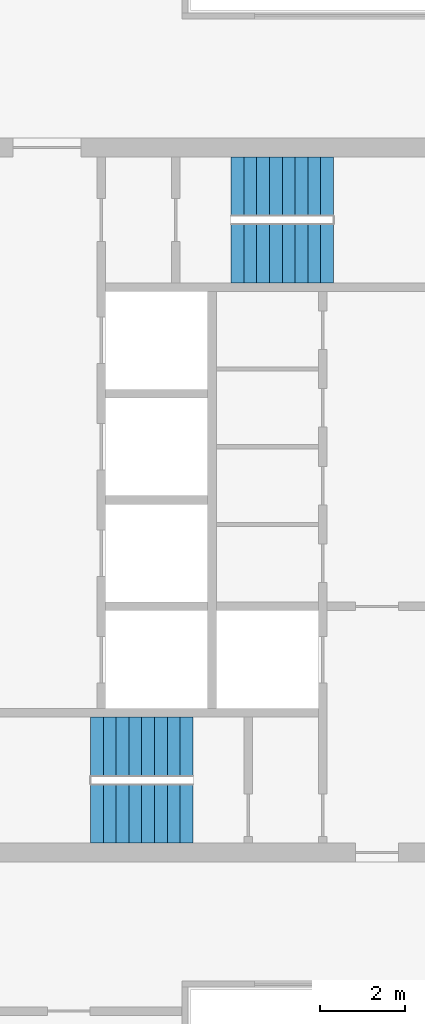
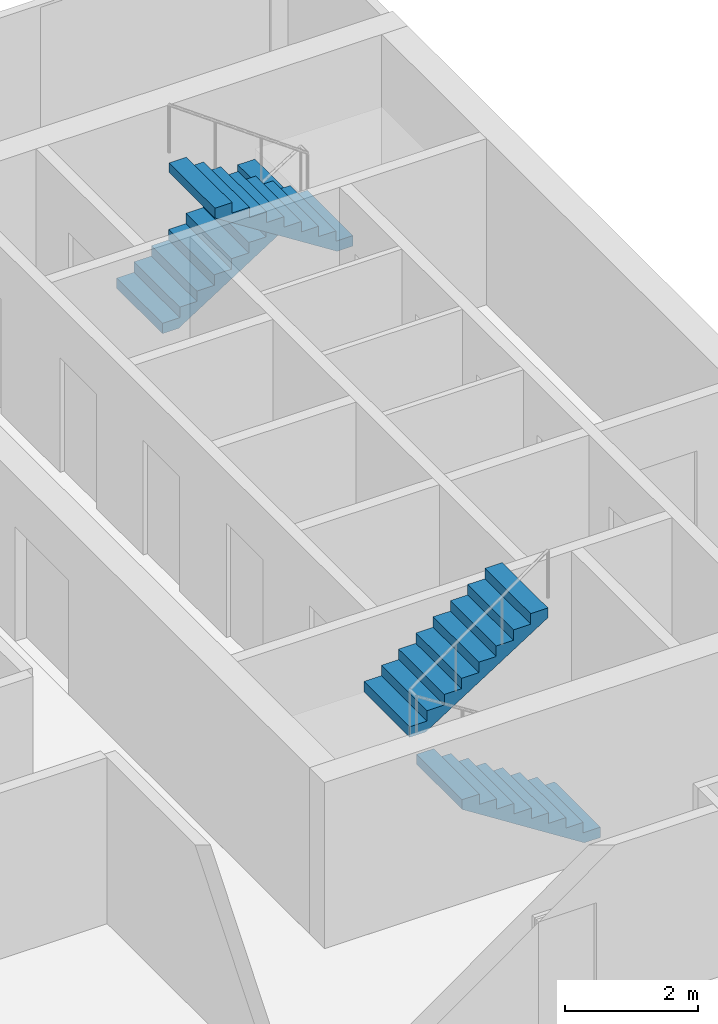
# One storey, part 7 of 9: 4 stair flights, 2 elements without a shape of their own.
"""IFC4 building model written with IfcOpenShell, lengths in metres."""

from ifc_helpers import new_model, si_unit, direction, frame, origin, place, context, subcontext, project, spatial, polyline, outline, extrude, material, type_object, element, aggregate, save


model = new_model("IFC4")

# Units and contexts
model_context = context("Model", 3, precision=1e-05, world=origin(), true_north=direction((0.0, 1.0)))
body_context = subcontext(model_context, "Body", "Model", "MODEL_VIEW")
ifc_project = project(units=[si_unit("LENGTHUNIT", "METRE"), si_unit("AREAUNIT", "SQUARE_METRE"), si_unit("VOLUMEUNIT", "CUBIC_METRE"), si_unit("PLANEANGLEUNIT", "RADIAN"), si_unit("MASSUNIT", "GRAM", prefix="KILO")], contexts=[model_context])

# Site, building, storey
site_placement = place(None, origin())
site = spatial("IfcSite", under=ifc_project, at=site_placement, CompositionType="ELEMENT")
building_placement = place(site_placement, origin())
building = spatial("IfcBuilding", under=site, at=building_placement, Name="Kitamizu Gate Tower and Museum", CompositionType="ELEMENT")
storey_placement = place(building_placement, frame((0.0, 0.0, 224.85009765625)))
storey = spatial("IfcBuildingStorey", under=building, at=storey_placement, Name="L60", CompositionType="ELEMENT", Elevation=224.85009765625)

# Stair, stair flights
ifc_material_1 = material(Name="Concrete Fc42", Category="concrete")
stair_type = type_object("IfcStairType", Name="Exit stair 1375 wide 192 rise 300 going", PredefinedType="HALF_TURN_STAIR", material=ifc_material_1)
stair_1_placement = place(storey_placement, origin())
stair_1 = element("IfcStair", 1, at=stair_1_placement, inside=storey, type_object=stair_type, Name="Exit stair ST3", PredefinedType="HALF_TURN_STAIR")
ifc_material_2 = material(Name="Concrete Fc42", Category="concrete")
stair_flight_type = type_object("IfcStairFlightType", Name="Stair flight 1375 wide 192 rise 300 going", PredefinedType="STRAIGHT", material=ifc_material_2)
stair_flight_1_placement = place(storey_placement, frame((53.550048828125, 22.637451171875, 0.0), z_axis=(0.0, 0.0, 1.0), x_axis=(-1.0, 0.0, 0.0)))
stair_flight_1 = element("IfcStairFlight", 2, at=stair_flight_1_placement, type_object=stair_flight_type, Name="ST3 flight 1", NumberOfRisers=9, NumberOfTreads=8, PredefinedType="STRAIGHT", RiserHeight=0.191666667, TreadLength=0.3, context=body_context, shape_type="SweptSolid", body=[
    extrude(outline(polyline([(0.0, 0.0), (0.0, 0.191650390625), (0.300048828125, 0.191650390625), (0.300048828125, 0.38330078125), (0.60009765625, 0.38330078125), (0.60009765625, 0.574951171875), (0.89990234375, 0.574951171875), (0.89990234375, 0.7666015625), (1.199951171875, 0.7666015625), (1.199951171875, 0.958251953125), (1.5, 0.958251953125), (1.5, 1.14990234375), (1.800048828125, 1.14990234375), (1.800048828125, 1.341552734375), (2.10009765625, 1.341552734375), (2.10009765625, 1.533447265625), (2.39990234375, 1.533447265625), (2.39990234375, 1.72509765625), (2.39990234375, 1.35546875), (0.2783203125, 0.0), (0.0, 0.0)])), frame((0.0, 0.6875, 0.0), z_axis=(0.0, -1.0, 0.0), x_axis=(1.0, 0.0, 0.0)), (0.0, 0.0, 1.0), 1.375),
])
stair_flight_2_placement = place(storey_placement, frame((51.14990234375, 24.21240234375, 1.724853515625), z_axis=(0.0, 0.0, 1.0), x_axis=(1.0, 0.0, 0.0)))
stair_flight_2 = element("IfcStairFlight", 3, at=stair_flight_2_placement, type_object=stair_flight_type, Name="ST3 flight 2", NumberOfRisers=9, NumberOfTreads=8, PredefinedType="STRAIGHT", RiserHeight=0.191666667, TreadLength=0.3, context=body_context, shape_type="SweptSolid", body=[
    extrude(outline(polyline([(0.0, 0.0), (0.0, 0.191650390625), (0.300048828125, 0.191650390625), (0.300048828125, 0.38330078125), (0.60009765625, 0.38330078125), (0.60009765625, 0.574951171875), (0.89990234375, 0.574951171875), (0.89990234375, 0.7666015625), (1.199951171875, 0.7666015625), (1.199951171875, 0.958251953125), (1.5, 0.958251953125), (1.5, 1.14990234375), (1.800048828125, 1.14990234375), (1.800048828125, 1.341552734375), (2.10009765625, 1.341552734375), (2.10009765625, 1.533447265625), (2.39990234375, 1.533447265625), (2.39990234375, 1.72509765625), (2.39990234375, 1.35546875), (0.2783203125, 0.0), (0.0, 0.0)])), frame((0.0, 0.6875, 0.0), z_axis=(0.0, -1.0, 0.0), x_axis=(1.0, 0.0, 0.0)), (0.0, 0.0, 1.0), 1.375),
])
aggregate(stair_1, [stair_flight_1, stair_flight_2])

stair_2_placement = place(storey_placement, origin())
stair_2 = element("IfcStair", 4, at=stair_2_placement, inside=storey, type_object=stair_type, Name="Exit stair ST4", PredefinedType="HALF_TURN_STAIR")
stair_flight_3_placement = place(storey_placement, frame((54.449951171875, 37.362548828125, 0.0), z_axis=(0.0, 0.0, 1.0), x_axis=(1.0, 0.0, 0.0)))
stair_flight_3 = element("IfcStairFlight", 5, at=stair_flight_3_placement, type_object=stair_flight_type, Name="ST4 flight 1", NumberOfRisers=9, NumberOfTreads=8, PredefinedType="STRAIGHT", RiserHeight=0.191666667, TreadLength=0.3, context=body_context, shape_type="SweptSolid", body=[
    extrude(outline(polyline([(0.0, 0.0), (0.0, 0.191650390625), (0.300048828125, 0.191650390625), (0.300048828125, 0.38330078125), (0.60009765625, 0.38330078125), (0.60009765625, 0.574951171875), (0.89990234375, 0.574951171875), (0.89990234375, 0.7666015625), (1.199951171875, 0.7666015625), (1.199951171875, 0.958251953125), (1.5, 0.958251953125), (1.5, 1.14990234375), (1.800048828125, 1.14990234375), (1.800048828125, 1.341552734375), (2.10009765625, 1.341552734375), (2.10009765625, 1.533447265625), (2.39990234375, 1.533447265625), (2.39990234375, 1.72509765625), (2.39990234375, 1.35546875), (0.2783203125, 0.0), (0.0, 0.0)])), frame((0.0, 0.6875, 0.0), z_axis=(0.0, -1.0, 0.0), x_axis=(1.0, 0.0, 0.0)), (0.0, 0.0, 1.0), 1.375),
])
stair_flight_4_placement = place(storey_placement, frame((56.85009765625, 35.78759765625, 1.724853515625), z_axis=(0.0, 0.0, 1.0), x_axis=(-1.0, 0.0, 0.0)))
stair_flight_4 = element("IfcStairFlight", 6, at=stair_flight_4_placement, type_object=stair_flight_type, Name="ST4 flight 2", NumberOfRisers=9, NumberOfTreads=8, PredefinedType="STRAIGHT", RiserHeight=0.191666667, TreadLength=0.3, context=body_context, shape_type="SweptSolid", body=[
    extrude(outline(polyline([(0.0, 0.0), (0.0, 0.191650390625), (0.300048828125, 0.191650390625), (0.300048828125, 0.38330078125), (0.60009765625, 0.38330078125), (0.60009765625, 0.574951171875), (0.89990234375, 0.574951171875), (0.89990234375, 0.7666015625), (1.199951171875, 0.7666015625), (1.199951171875, 0.958251953125), (1.5, 0.958251953125), (1.5, 1.14990234375), (1.800048828125, 1.14990234375), (1.800048828125, 1.341552734375), (2.10009765625, 1.341552734375), (2.10009765625, 1.533447265625), (2.39990234375, 1.533447265625), (2.39990234375, 1.72509765625), (2.39990234375, 1.35546875), (0.2783203125, 0.0), (0.0, 0.0)])), frame((0.0, 0.6875, 0.0), z_axis=(0.0, -1.0, 0.0), x_axis=(1.0, 0.0, 0.0)), (0.0, 0.0, 1.0), 1.375),
])
aggregate(stair_2, [stair_flight_3, stair_flight_4])

save(model, "model.ifc")
